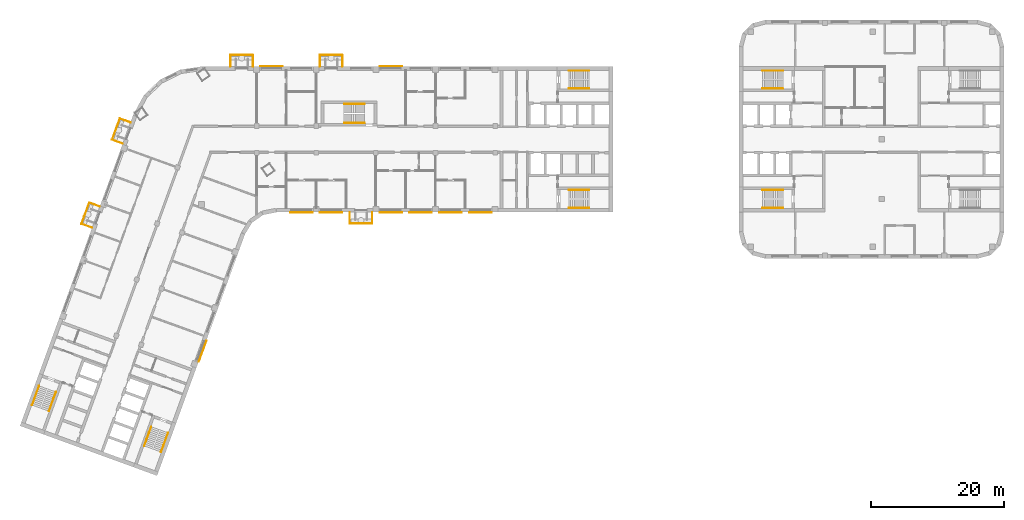
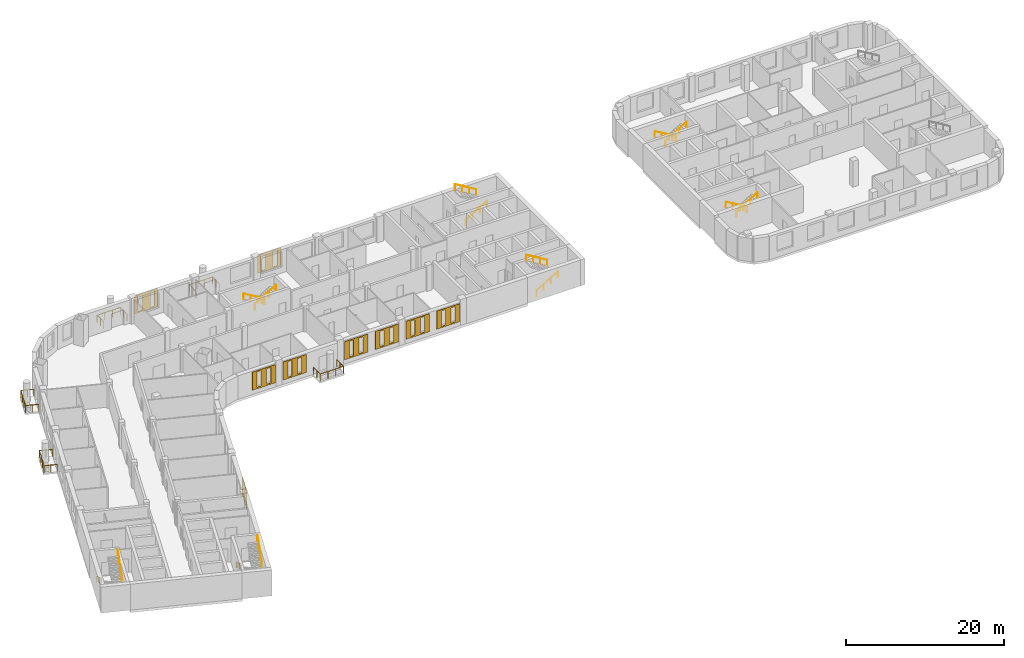
# One storey, part 12 of 15: 19 railings, 9 coverings.
"""IFC4 building model written with IfcOpenShell, lengths in metres."""

from ifc_helpers import new_model, si_unit, direction, frame, origin, origin_2d, place, context, subcontext, project, spatial, polyline, circle, outline, extrude, material, material_profile, profile_set, type_object, element, save


model = new_model("IFC4")

# Units and contexts
model_context = context("Model", 3, precision=1e-05, world=origin(), true_north=direction((0.0, 1.0)))
body_context = subcontext(model_context, "Body", "Model", "MODEL_VIEW")
ifc_project = project(units=[si_unit("LENGTHUNIT", "METRE"), si_unit("AREAUNIT", "SQUARE_METRE"), si_unit("VOLUMEUNIT", "CUBIC_METRE"), si_unit("PLANEANGLEUNIT", "RADIAN"), si_unit("MASSUNIT", "GRAM", prefix="KILO")], contexts=[model_context])

# Site, building, storey
site_placement = place(None, origin())
site = spatial("IfcSite", under=ifc_project, at=site_placement, CompositionType="ELEMENT")
building_placement = place(site_placement, origin())
building = spatial("IfcBuilding", under=site, at=building_placement, Name="Skarvind Civic Tower", CompositionType="ELEMENT")
storey_placement = place(building_placement, frame((0.0, 0.0, 55.5)))
storey = spatial("IfcBuildingStorey", under=building, at=storey_placement, Name="L12", CompositionType="ELEMENT", Elevation=55.5)

# Railings
ifc_material_1 = material(Name="Stainless steel balustrade", Category="steel")
railing_type_1 = type_object("IfcRailingType", Name="GR1 GUARD 1100", PredefinedType="GUARDRAIL", material=ifc_material_1)
railing_1_placement = place(storey_placement, frame((71.699951171875, 117.0, 0.0)))
element("IfcRailing", 1, at=railing_1_placement, inside=storey, type_object=railing_type_1, Name="TREE BALCONY GUARD", PredefinedType="GUARDRAIL", context=body_context, shape_type="SweptSolid", body=[
    extrude(circle(Radius=0.02392578125, at=origin_2d()), frame((0.0, 0.0, 1.076171875), z_axis=(0.0, -1.0, 0.0), x_axis=(1.0, 0.0, 0.0)), (0.0, 0.0, 1.0), 1.699951171875),
    extrude(circle(Radius=0.02392578125, at=origin_2d()), frame((0.0, -1.699951171875, 1.076171875), z_axis=(-1.0, 0.0, 0.0), x_axis=(0.0, -1.0, 0.0)), (0.0, 0.0, 1.0), 3.39990234375),
    extrude(circle(Radius=0.02392578125, at=origin_2d()), frame((-3.39990234375, -1.699951171875, 1.076171875), z_axis=(0.0, 1.0, 0.0), x_axis=(-1.0, 0.0, 0.0)), (0.0, 0.0, 1.0), 1.699951171875),
    extrude(circle(Radius=0.02099609375, at=origin_2d()), origin(), (0.0, 0.0, 1.0), 1.052001953125),
    extrude(circle(Radius=0.02099609375, at=origin_2d()), frame((0.0, -0.85009765625, 0.0)), (0.0, 0.0, 1.0), 1.052001953125),
    extrude(circle(Radius=0.02099609375, at=origin_2d()), frame((0.0, -1.699951171875, 0.0)), (0.0, 0.0, 1.0), 1.052001953125),
    extrude(circle(Radius=0.02099609375, at=origin_2d()), frame((-1.13330078125, -1.699951171875, 0.0)), (0.0, 0.0, 1.0), 1.052001953125),
    extrude(circle(Radius=0.02099609375, at=origin_2d()), frame((-2.2666015625, -1.699951171875, 0.0)), (0.0, 0.0, 1.0), 1.052001953125),
    extrude(circle(Radius=0.02099609375, at=origin_2d()), frame((-3.39990234375, -1.699951171875, 0.0)), (0.0, 0.0, 1.0), 1.052001953125),
    extrude(circle(Radius=0.02099609375, at=origin_2d()), frame((-3.39990234375, -0.85009765625, 0.0)), (0.0, 0.0, 1.0), 1.052001953125),
    extrude(circle(Radius=0.02099609375, at=origin_2d()), frame((-3.39990234375, 0.0, 0.0)), (0.0, 0.0, 1.0), 1.052001953125),
])
for number, where, name in (
    (2, (50.300048828125, 139.0, 0.0), "TREE BALCONY GUARD"),
    (3, (63.800048828125, 139.0, 0.0), "TREE BALCONY GUARD"),
):
    element("IfcRailing", number, at=place(storey_placement, frame(where)), inside=storey, type_object=railing_type_1, Name=name, PredefinedType="GUARDRAIL", context=body_context, shape_type="SweptSolid", body=[
        extrude(circle(Radius=0.02392578125, at=origin_2d()), frame((0.0, 0.0, 1.076171875), z_axis=(0.0, 1.0, 0.0), x_axis=(-1.0, 0.0, 0.0)), (0.0, 0.0, 1.0), 1.699951171875),
        extrude(circle(Radius=0.02392578125, at=origin_2d()), frame((0.0, 1.699951171875, 1.076171875), z_axis=(1.0, 0.0, 0.0), x_axis=(0.0, 1.0, 0.0)), (0.0, 0.0, 1.0), 3.39990234375),
        extrude(circle(Radius=0.02392578125, at=origin_2d()), frame((3.39990234375, 1.699951171875, 1.076171875), z_axis=(0.0, -1.0, 0.0), x_axis=(1.0, 0.0, 0.0)), (0.0, 0.0, 1.0), 1.699951171875),
        extrude(circle(Radius=0.02099609375, at=origin_2d()), origin(), (0.0, 0.0, 1.0), 1.052001953125),
        extrude(circle(Radius=0.02099609375, at=origin_2d()), frame((0.0, 0.85009765625, 0.0)), (0.0, 0.0, 1.0), 1.052001953125),
        extrude(circle(Radius=0.02099609375, at=origin_2d()), frame((0.0, 1.699951171875, 0.0)), (0.0, 0.0, 1.0), 1.052001953125),
        extrude(circle(Radius=0.02099609375, at=origin_2d()), frame((1.13330078125, 1.699951171875, 0.0)), (0.0, 0.0, 1.0), 1.052001953125),
        extrude(circle(Radius=0.02099609375, at=origin_2d()), frame((2.2666015625, 1.699951171875, 0.0)), (0.0, 0.0, 1.0), 1.052001953125),
        extrude(circle(Radius=0.02099609375, at=origin_2d()), frame((3.39990234375, 1.699951171875, 0.0)), (0.0, 0.0, 1.0), 1.052001953125),
        extrude(circle(Radius=0.02099609375, at=origin_2d()), frame((3.39990234375, 0.85009765625, 0.0)), (0.0, 0.0, 1.0), 1.052001953125),
        extrude(circle(Radius=0.02099609375, at=origin_2d()), frame((3.39990234375, 0.0, 0.0)), (0.0, 0.0, 1.0), 1.052001953125),
    ])
railing_2_placement = place(storey_placement, frame((29.438720703125, 114.659912109375, 0.0)))
element("IfcRailing", 4, at=railing_2_placement, inside=storey, type_object=railing_type_1, Name="TREE BALCONY GUARD", PredefinedType="GUARDRAIL", context=body_context, shape_type="SweptSolid", body=[
    extrude(circle(Radius=0.02392578125, at=origin_2d()), frame((0.0, 0.0, 1.076171875), z_axis=(-0.939713724856, 0.341962154804, 0.0), x_axis=(-0.341962154804, -0.939713724856, 0.0)), (0.0, 0.0, 1.0), 1.699951171875),
    extrude(circle(Radius=0.02392578125, at=origin_2d()), frame((-1.597412109375, 0.581298828125, 1.076171875), z_axis=(0.341939080165, 0.939722121404, 0.0), x_axis=(-0.939722121404, 0.341939080165, 0.0)), (0.0, 0.0, 1.0), 3.39990234375),
    extrude(circle(Radius=0.02392578125, at=origin_2d()), frame((-0.434814453125, 3.7763671875, 1.076171875), z_axis=(0.939684369409, -0.342042812948, 0.0), x_axis=(0.342042812948, 0.939684369409, 0.0)), (0.0, 0.0, 1.0), 1.7001953125),
    extrude(circle(Radius=0.02099609375, at=origin_2d()), origin(), (0.0, 0.0, 1.0), 1.052001953125),
    extrude(circle(Radius=0.02099609375, at=origin_2d()), frame((-0.798828125, 0.29052734375, 0.0)), (0.0, 0.0, 1.0), 1.052001953125),
    extrude(circle(Radius=0.02099609375, at=origin_2d()), frame((-1.597412109375, 0.581298828125, 0.0)), (0.0, 0.0, 1.0), 1.052001953125),
    extrude(circle(Radius=0.02099609375, at=origin_2d()), frame((-1.2099609375, 1.646240234375, 0.0)), (0.0, 0.0, 1.0), 1.052001953125),
    extrude(circle(Radius=0.02099609375, at=origin_2d()), frame((-0.822265625, 2.71142578125, 0.0)), (0.0, 0.0, 1.0), 1.052001953125),
    extrude(circle(Radius=0.02099609375, at=origin_2d()), frame((-0.434814453125, 3.7763671875, 0.0)), (0.0, 0.0, 1.0), 1.052001953125),
    extrude(circle(Radius=0.02099609375, at=origin_2d()), frame((0.364013671875, 3.485595703125, 0.0)), (0.0, 0.0, 1.0), 1.052001953125),
    extrude(circle(Radius=0.02099609375, at=origin_2d()), frame((1.162841796875, 3.19482421875, 0.0)), (0.0, 0.0, 1.0), 1.052001953125),
])
railing_3_placement = place(storey_placement, frame((34.055908203125, 127.345703125, 0.0)))
element("IfcRailing", 5, at=railing_3_placement, inside=storey, type_object=railing_type_1, Name="TREE BALCONY GUARD", PredefinedType="GUARDRAIL", context=body_context, shape_type="SweptSolid", body=[
    extrude(circle(Radius=0.02392578125, at=origin_2d()), frame((0.0, 0.0, 1.076171875), z_axis=(-0.939713724856, 0.341962154804, 0.0), x_axis=(-0.341962154804, -0.939713724856, 0.0)), (0.0, 0.0, 1.0), 1.699951171875),
    extrude(circle(Radius=0.02392578125, at=origin_2d()), frame((-1.597412109375, 0.581298828125, 1.076171875), z_axis=(0.342002487902, 0.939699046647, 0.0), x_axis=(-0.939699046647, 0.342002487902, 0.0)), (0.0, 0.0, 1.0), 3.400146484375),
    extrude(circle(Radius=0.02392578125, at=origin_2d()), frame((-0.4345703125, 3.7763671875, 1.076171875), z_axis=(0.939713724856, -0.341962154804, 0.0), x_axis=(0.341962154804, 0.939713724856, 0.0)), (0.0, 0.0, 1.0), 1.699951171875),
    extrude(circle(Radius=0.02099609375, at=origin_2d()), origin(), (0.0, 0.0, 1.0), 1.052001953125),
    extrude(circle(Radius=0.02099609375, at=origin_2d()), frame((-0.798828125, 0.29052734375, 0.0)), (0.0, 0.0, 1.0), 1.052001953125),
    extrude(circle(Radius=0.02099609375, at=origin_2d()), frame((-1.597412109375, 0.581298828125, 0.0)), (0.0, 0.0, 1.0), 1.052001953125),
    extrude(circle(Radius=0.02099609375, at=origin_2d()), frame((-1.209716796875, 1.646240234375, 0.0)), (0.0, 0.0, 1.0), 1.052001953125),
    extrude(circle(Radius=0.02099609375, at=origin_2d()), frame((-0.822265625, 2.71142578125, 0.0)), (0.0, 0.0, 1.0), 1.052001953125),
    extrude(circle(Radius=0.02099609375, at=origin_2d()), frame((-0.4345703125, 3.7763671875, 0.0)), (0.0, 0.0, 1.0), 1.052001953125),
    extrude(circle(Radius=0.02099609375, at=origin_2d()), frame((0.3642578125, 3.48583984375, 0.0)), (0.0, 0.0, 1.0), 1.052001953125),
    extrude(circle(Radius=0.02099609375, at=origin_2d()), frame((1.162841796875, 3.195068359375, 0.0)), (0.0, 0.0, 1.0), 1.052001953125),
])
ifc_material_2 = material(Name="Painted steel handrail", Category="steel")
railing_type_2 = type_object("IfcRailingType", Name="Stair handrail 900", PredefinedType="HANDRAIL", material=ifc_material_2)
railing_4_placement = place(storey_placement, frame((101.35009765625, 135.64990234375, 0.166748046875)))
element("IfcRailing", 6, at=railing_4_placement, inside=storey, type_object=railing_type_2, Name="Stair handrail", PredefinedType="HANDRAIL", context=body_context, shape_type="SweptSolid", body=[
    extrude(circle(Radius=0.02392578125, at=origin_2d()), frame((0.0, 0.0, 0.8759765625), z_axis=(0.859290745958, 0.0, 0.51148745235), x_axis=(0.0, 1.0, 0.0)), (0.0, 0.0, 1.0), 3.584228515625),
    extrude(circle(Radius=0.02099609375, at=origin_2d()), origin(), (0.0, 0.0, 1.0), 0.851806640625),
    extrude(circle(Radius=0.02099609375, at=origin_2d()), frame((1.026611328125, 0.0, 0.611083984375)), (0.0, 0.0, 1.0), 0.851806640625),
    extrude(circle(Radius=0.02099609375, at=origin_2d()), frame((2.05322265625, 0.0, 1.22216796875)), (0.0, 0.0, 1.0), 0.851806640625),
    extrude(circle(Radius=0.02099609375, at=origin_2d()), frame((3.079833984375, 0.0, 1.833251953125)), (0.0, 0.0, 1.0), 0.851806640625),
])
railing_5_placement = place(storey_placement, frame((104.429931640625, 138.35009765625, 2.166748046875)))
element("IfcRailing", 7, at=railing_5_placement, inside=storey, type_object=railing_type_2, Name="Stair handrail", PredefinedType="HANDRAIL", context=body_context, shape_type="SweptSolid", body=[
    extrude(circle(Radius=0.02392578125, at=origin_2d()), frame((0.0, 0.0, 0.8759765625), z_axis=(-0.859290745958, 0.0, 0.51148745235), x_axis=(0.0, -1.0, 0.0)), (0.0, 0.0, 1.0), 3.584228515625),
    extrude(circle(Radius=0.02099609375, at=origin_2d()), origin(), (0.0, 0.0, 1.0), 0.851806640625),
    extrude(circle(Radius=0.02099609375, at=origin_2d()), frame((-1.026611328125, 0.0, 0.611083984375)), (0.0, 0.0, 1.0), 0.851806640625),
    extrude(circle(Radius=0.02099609375, at=origin_2d()), frame((-2.05322265625, 0.0, 1.22216796875)), (0.0, 0.0, 1.0), 0.851806640625),
    extrude(circle(Radius=0.02099609375, at=origin_2d()), frame((-3.079833984375, 0.0, 1.833251953125)), (0.0, 0.0, 1.0), 0.851806640625),
])
railing_6_placement = place(storey_placement, frame((101.35009765625, 117.64990234375, 0.166748046875)))
element("IfcRailing", 8, at=railing_6_placement, inside=storey, type_object=railing_type_2, Name="Stair handrail", PredefinedType="HANDRAIL", context=body_context, shape_type="SweptSolid", body=[
    extrude(circle(Radius=0.02392578125, at=origin_2d()), frame((0.0, 0.0, 0.8759765625), z_axis=(0.859290745958, 0.0, 0.51148745235), x_axis=(0.0, 1.0, 0.0)), (0.0, 0.0, 1.0), 3.584228515625),
    extrude(circle(Radius=0.02099609375, at=origin_2d()), origin(), (0.0, 0.0, 1.0), 0.851806640625),
    extrude(circle(Radius=0.02099609375, at=origin_2d()), frame((1.026611328125, 0.0, 0.611083984375)), (0.0, 0.0, 1.0), 0.851806640625),
    extrude(circle(Radius=0.02099609375, at=origin_2d()), frame((2.05322265625, 0.0, 1.22216796875)), (0.0, 0.0, 1.0), 0.851806640625),
    extrude(circle(Radius=0.02099609375, at=origin_2d()), frame((3.079833984375, 0.0, 1.833251953125)), (0.0, 0.0, 1.0), 0.851806640625),
])
railing_7_placement = place(storey_placement, frame((104.429931640625, 120.35009765625, 2.166748046875)))
element("IfcRailing", 9, at=railing_7_placement, inside=storey, type_object=railing_type_2, Name="Stair handrail", PredefinedType="HANDRAIL", context=body_context, shape_type="SweptSolid", body=[
    extrude(circle(Radius=0.02392578125, at=origin_2d()), frame((0.0, 0.0, 0.8759765625), z_axis=(-0.859290745958, 0.0, 0.51148745235), x_axis=(0.0, -1.0, 0.0)), (0.0, 0.0, 1.0), 3.584228515625),
    extrude(circle(Radius=0.02099609375, at=origin_2d()), origin(), (0.0, 0.0, 1.0), 0.851806640625),
    extrude(circle(Radius=0.02099609375, at=origin_2d()), frame((-1.026611328125, 0.0, 0.611083984375)), (0.0, 0.0, 1.0), 0.851806640625),
    extrude(circle(Radius=0.02099609375, at=origin_2d()), frame((-2.05322265625, 0.0, 1.22216796875)), (0.0, 0.0, 1.0), 0.851806640625),
    extrude(circle(Radius=0.02099609375, at=origin_2d()), frame((-3.079833984375, 0.0, 1.833251953125)), (0.0, 0.0, 1.0), 0.851806640625),
])
railing_8_placement = place(storey_placement, frame((38.362060546875, 84.64794921875, 0.166748046875)))
element("IfcRailing", 10, at=railing_8_placement, inside=storey, type_object=railing_type_2, Name="Stair handrail", PredefinedType="HANDRAIL", context=body_context, shape_type="SweptSolid", body=[
    extrude(circle(Radius=0.02392578125, at=origin_2d()), frame((0.0, 0.0, 0.8759765625), z_axis=(-0.293908055923, -0.807480881337, 0.511461319103), x_axis=(0.939689235759, -0.342029443467, 0.0)), (0.0, 0.0, 1.0), 3.584228515625),
    extrude(circle(Radius=0.02099609375, at=origin_2d()), origin(), (0.0, 0.0, 1.0), 0.851806640625),
    extrude(circle(Radius=0.02099609375, at=origin_2d()), frame((-0.35107421875, -0.96484375, 0.611083984375)), (0.0, 0.0, 1.0), 0.851806640625),
    extrude(circle(Radius=0.02099609375, at=origin_2d()), frame((-0.702392578125, -1.929443359375, 1.22216796875)), (0.0, 0.0, 1.0), 0.851806640625),
    extrude(circle(Radius=0.02099609375, at=origin_2d()), frame((-1.053466796875, -2.894287109375, 1.833251953125)), (0.0, 0.0, 1.0), 0.851806640625),
])
railing_9_placement = place(storey_placement, frame((39.845703125, 80.830078125, 2.166748046875)))
element("IfcRailing", 11, at=railing_9_placement, inside=storey, type_object=railing_type_2, Name="Stair handrail", PredefinedType="HANDRAIL", context=body_context, shape_type="SweptSolid", body=[
    extrude(circle(Radius=0.02392578125, at=origin_2d()), frame((0.0, 0.0, 0.8759765625), z_axis=(0.293908055923, 0.807480881337, 0.511461319103), x_axis=(-0.939689235759, 0.342029443467, 0.0)), (0.0, 0.0, 1.0), 3.584228515625),
    extrude(circle(Radius=0.02099609375, at=origin_2d()), origin(), (0.0, 0.0, 1.0), 0.851806640625),
    extrude(circle(Radius=0.02099609375, at=origin_2d()), frame((0.35107421875, 0.96484375, 0.611083984375)), (0.0, 0.0, 1.0), 0.851806640625),
    extrude(circle(Radius=0.02099609375, at=origin_2d()), frame((0.702392578125, 1.929443359375, 1.22216796875)), (0.0, 0.0, 1.0), 0.851806640625),
    extrude(circle(Radius=0.02099609375, at=origin_2d()), frame((1.053466796875, 2.894287109375, 1.833251953125)), (0.0, 0.0, 1.0), 0.851806640625),
])
railing_10_placement = place(storey_placement, frame((21.447509765625, 90.80419921875, 0.166748046875)))
element("IfcRailing", 12, at=railing_10_placement, inside=storey, type_object=railing_type_2, Name="Stair handrail", PredefinedType="HANDRAIL", context=body_context, shape_type="SweptSolid", body=[
    extrude(circle(Radius=0.02392578125, at=origin_2d()), frame((0.0, 0.0, 0.8759765625), z_axis=(-0.293845824691, -0.807497044902, 0.511471557163), x_axis=(0.939714709796, -0.34195944817, 0.0)), (0.0, 0.0, 1.0), 3.584228515625),
    extrude(circle(Radius=0.02099609375, at=origin_2d()), origin(), (0.0, 0.0, 1.0), 0.851806640625),
    extrude(circle(Radius=0.02099609375, at=origin_2d()), frame((-0.35107421875, -0.96484375, 0.611083984375)), (0.0, 0.0, 1.0), 0.851806640625),
    extrude(circle(Radius=0.02099609375, at=origin_2d()), frame((-0.7021484375, -1.929443359375, 1.22216796875)), (0.0, 0.0, 1.0), 0.851806640625),
    extrude(circle(Radius=0.02099609375, at=origin_2d()), frame((-1.05322265625, -2.894287109375, 1.833251953125)), (0.0, 0.0, 1.0), 0.851806640625),
])
railing_11_placement = place(storey_placement, frame((22.931396484375, 86.986572265625, 2.166748046875)))
element("IfcRailing", 13, at=railing_11_placement, inside=storey, type_object=railing_type_2, Name="Stair handrail", PredefinedType="HANDRAIL", context=body_context, shape_type="SweptSolid", body=[
    extrude(circle(Radius=0.02392578125, at=origin_2d()), frame((0.0, 0.0, 0.8759765625), z_axis=(0.293908055923, 0.807480881337, 0.511461319103), x_axis=(-0.939689235759, 0.342029443467, 0.0)), (0.0, 0.0, 1.0), 3.584228515625),
    extrude(circle(Radius=0.02099609375, at=origin_2d()), origin(), (0.0, 0.0, 1.0), 0.851806640625),
    extrude(circle(Radius=0.02099609375, at=origin_2d()), frame((0.35107421875, 0.96484375, 0.611083984375)), (0.0, 0.0, 1.0), 0.851806640625),
    extrude(circle(Radius=0.02099609375, at=origin_2d()), frame((0.702392578125, 1.929443359375, 1.22216796875)), (0.0, 0.0, 1.0), 0.851806640625),
    extrude(circle(Radius=0.02099609375, at=origin_2d()), frame((1.053466796875, 2.894287109375, 1.833251953125)), (0.0, 0.0, 1.0), 0.851806640625),
])
railing_12_placement = place(storey_placement, frame((133.64990234375, 120.35009765625, 0.166748046875)))
element("IfcRailing", 14, at=railing_12_placement, inside=storey, type_object=railing_type_2, Name="Stair handrail", PredefinedType="HANDRAIL", context=body_context, shape_type="SweptSolid", body=[
    extrude(circle(Radius=0.02392578125, at=origin_2d()), frame((0.0, 0.0, 0.8759765625), z_axis=(-0.859290745958, 0.0, 0.51148745235), x_axis=(0.0, -1.0, 0.0)), (0.0, 0.0, 1.0), 3.584228515625),
    extrude(circle(Radius=0.02099609375, at=origin_2d()), origin(), (0.0, 0.0, 1.0), 0.851806640625),
    extrude(circle(Radius=0.02099609375, at=origin_2d()), frame((-1.026611328125, 0.0, 0.611083984375)), (0.0, 0.0, 1.0), 0.851806640625),
    extrude(circle(Radius=0.02099609375, at=origin_2d()), frame((-2.05322265625, 0.0, 1.22216796875)), (0.0, 0.0, 1.0), 0.851806640625),
    extrude(circle(Radius=0.02099609375, at=origin_2d()), frame((-3.079833984375, 0.0, 1.833251953125)), (0.0, 0.0, 1.0), 0.851806640625),
])
railing_13_placement = place(storey_placement, frame((130.570068359375, 117.64990234375, 2.166748046875)))
element("IfcRailing", 15, at=railing_13_placement, inside=storey, type_object=railing_type_2, Name="Stair handrail", PredefinedType="HANDRAIL", context=body_context, shape_type="SweptSolid", body=[
    extrude(circle(Radius=0.02392578125, at=origin_2d()), frame((0.0, 0.0, 0.8759765625), z_axis=(0.859290745958, 0.0, 0.51148745235), x_axis=(0.0, 1.0, 0.0)), (0.0, 0.0, 1.0), 3.584228515625),
    extrude(circle(Radius=0.02099609375, at=origin_2d()), origin(), (0.0, 0.0, 1.0), 0.851806640625),
    extrude(circle(Radius=0.02099609375, at=origin_2d()), frame((1.026611328125, 0.0, 0.611083984375)), (0.0, 0.0, 1.0), 0.851806640625),
    extrude(circle(Radius=0.02099609375, at=origin_2d()), frame((2.05322265625, 0.0, 1.22216796875)), (0.0, 0.0, 1.0), 0.851806640625),
    extrude(circle(Radius=0.02099609375, at=origin_2d()), frame((3.079833984375, 0.0, 1.833251953125)), (0.0, 0.0, 1.0), 0.851806640625),
])
railing_14_placement = place(storey_placement, frame((133.64990234375, 138.35009765625, 0.166748046875)))
element("IfcRailing", 16, at=railing_14_placement, inside=storey, type_object=railing_type_2, Name="Stair handrail", PredefinedType="HANDRAIL", context=body_context, shape_type="SweptSolid", body=[
    extrude(circle(Radius=0.02392578125, at=origin_2d()), frame((0.0, 0.0, 0.8759765625), z_axis=(-0.859290745958, 0.0, 0.51148745235), x_axis=(0.0, -1.0, 0.0)), (0.0, 0.0, 1.0), 3.584228515625),
    extrude(circle(Radius=0.02099609375, at=origin_2d()), origin(), (0.0, 0.0, 1.0), 0.851806640625),
    extrude(circle(Radius=0.02099609375, at=origin_2d()), frame((-1.026611328125, 0.0, 0.611083984375)), (0.0, 0.0, 1.0), 0.851806640625),
    extrude(circle(Radius=0.02099609375, at=origin_2d()), frame((-2.05322265625, 0.0, 1.22216796875)), (0.0, 0.0, 1.0), 0.851806640625),
    extrude(circle(Radius=0.02099609375, at=origin_2d()), frame((-3.079833984375, 0.0, 1.833251953125)), (0.0, 0.0, 1.0), 0.851806640625),
])
railing_15_placement = place(storey_placement, frame((130.570068359375, 135.64990234375, 2.166748046875)))
element("IfcRailing", 17, at=railing_15_placement, inside=storey, type_object=railing_type_2, Name="Stair handrail", PredefinedType="HANDRAIL", context=body_context, shape_type="SweptSolid", body=[
    extrude(circle(Radius=0.02392578125, at=origin_2d()), frame((0.0, 0.0, 0.8759765625), z_axis=(0.859290745958, 0.0, 0.51148745235), x_axis=(0.0, 1.0, 0.0)), (0.0, 0.0, 1.0), 3.584228515625),
    extrude(circle(Radius=0.02099609375, at=origin_2d()), origin(), (0.0, 0.0, 1.0), 0.851806640625),
    extrude(circle(Radius=0.02099609375, at=origin_2d()), frame((1.026611328125, 0.0, 0.611083984375)), (0.0, 0.0, 1.0), 0.851806640625),
    extrude(circle(Radius=0.02099609375, at=origin_2d()), frame((2.05322265625, 0.0, 1.22216796875)), (0.0, 0.0, 1.0), 0.851806640625),
    extrude(circle(Radius=0.02099609375, at=origin_2d()), frame((3.079833984375, 0.0, 1.833251953125)), (0.0, 0.0, 1.0), 0.851806640625),
])
railing_16_placement = place(storey_placement, frame((70.550048828125, 133.35009765625, 0.166748046875)))
element("IfcRailing", 18, at=railing_16_placement, inside=storey, type_object=railing_type_2, Name="Stair handrail", PredefinedType="HANDRAIL", context=body_context, shape_type="SweptSolid", body=[
    extrude(circle(Radius=0.02392578125, at=origin_2d()), frame((0.0, 0.0, 0.8759765625), z_axis=(-0.859308565015, 0.0, 0.511457515432), x_axis=(0.0, -1.0, 0.0)), (0.0, 0.0, 1.0), 3.58447265625),
    extrude(circle(Radius=0.02099609375, at=origin_2d()), origin(), (0.0, 0.0, 1.0), 0.851806640625),
    extrude(circle(Radius=0.02099609375, at=origin_2d()), frame((-1.026611328125, 0.0, 0.611083984375)), (0.0, 0.0, 1.0), 0.851806640625),
    extrude(circle(Radius=0.02099609375, at=origin_2d()), frame((-2.053466796875, 0.0, 1.22216796875)), (0.0, 0.0, 1.0), 0.851806640625),
    extrude(circle(Radius=0.02099609375, at=origin_2d()), frame((-3.080078125, 0.0, 1.833251953125)), (0.0, 0.0, 1.0), 0.851806640625),
])
railing_17_placement = place(storey_placement, frame((67.469970703125, 130.449951171875, 2.166748046875)))
element("IfcRailing", 19, at=railing_17_placement, inside=storey, type_object=railing_type_2, Name="Stair handrail", PredefinedType="HANDRAIL", context=body_context, shape_type="SweptSolid", body=[
    extrude(circle(Radius=0.02392578125, at=origin_2d()), frame((0.0, 0.0, 0.8759765625), z_axis=(0.859308565015, 0.0, 0.511457515432), x_axis=(0.0, 1.0, 0.0)), (0.0, 0.0, 1.0), 3.58447265625),
    extrude(circle(Radius=0.02099609375, at=origin_2d()), origin(), (0.0, 0.0, 1.0), 0.851806640625),
    extrude(circle(Radius=0.02099609375, at=origin_2d()), frame((1.026611328125, 0.0, 0.611083984375)), (0.0, 0.0, 1.0), 0.851806640625),
    extrude(circle(Radius=0.02099609375, at=origin_2d()), frame((2.053466796875, 0.0, 1.22216796875)), (0.0, 0.0, 1.0), 0.851806640625),
    extrude(circle(Radius=0.02099609375, at=origin_2d()), frame((3.080078125, 0.0, 1.833251953125)), (0.0, 0.0, 1.0), 0.851806640625),
])

# Coverings
ifc_material_3 = material(Name="Terracotta", Category="masonry")
ifc_material_profile_1 = material_profile(ifc_material_3, outline(polyline([(-1.699951171875, -1.39990234375), (1.699951171875, -1.39990234375), (1.699951171875, 1.39990234375), (-1.699951171875, 1.39990234375), (-1.699951171875, -1.39990234375)]), holes=[polyline([(-1.0, -1.18994140625), (-0.39990234375, -1.18994140625), (-0.39990234375, 1.18994140625), (-1.0, 1.18994140625), (-1.0, -1.18994140625)]), polyline([(0.39990234375, -1.18994140625), (1.0, -1.18994140625), (1.0, 1.18994140625), (0.39990234375, 1.18994140625), (0.39990234375, -1.18994140625)])]), Name="TERRACOTTA SCREEN 3400 x 2800, SLIT PITCH 1400")
ifc_profile_set_1 = profile_set([ifc_material_profile_1], Name="Terracotta")
covering_type_1 = type_object("IfcCoveringType", Name="TERRACOTTA SCREEN 3400 x 2800, SLIT PITCH 1400", PredefinedType="CLADDING", material=ifc_profile_set_1)
for number, where, z_axis, x_axis, name in (
    (20, (88.0, 117.0, 2.10009765625), (0.0, -1.0, 0.0), (1.0, 0.0, 0.0), "TERRACOTTA SCREEN"),
    (21, (83.5, 117.0, 2.10009765625), (0.0, -1.0, 0.0), (1.0, 0.0, 0.0), "TERRACOTTA SCREEN"),
    (22, (79.0, 117.0, 2.10009765625), (0.0, -1.0, 0.0), (1.0, 0.0, 0.0), "TERRACOTTA SCREEN"),
    (23, (74.5, 117.0, 2.10009765625), (0.0, -1.0, 0.0), (1.0, 0.0, 0.0), "TERRACOTTA SCREEN"),
    (24, (65.5, 117.0, 2.10009765625), (0.0, -1.0, 0.0), (1.0, 0.0, 0.0), "TERRACOTTA SCREEN"),
    (25, (61.0, 117.0, 2.10009765625), (0.0, -1.0, 0.0), (1.0, 0.0, 0.0), "TERRACOTTA SCREEN"),
):
    element("IfcCovering", number, at=place(storey_placement, frame(where, z_axis=z_axis, x_axis=x_axis)), inside=storey, type_object=covering_type_1, Name=name, PredefinedType="CLADDING", context=body_context, shape_type="SweptSolid", body=[
        extrude(outline(polyline([(-1.699951171875, -1.39990234375), (1.699951171875, -1.39990234375), (1.699951171875, 1.39990234375), (-1.699951171875, 1.39990234375), (-1.699951171875, -1.39990234375)]), holes=[polyline([(-1.0, -1.18994140625), (-0.39990234375, -1.18994140625), (-0.39990234375, 1.18994140625), (-1.0, 1.18994140625), (-1.0, -1.18994140625)]), polyline([(0.39990234375, -1.18994140625), (1.0, -1.18994140625), (1.0, 1.18994140625), (0.39990234375, 1.18994140625), (0.39990234375, -1.18994140625)])]), origin(), (0.0, 0.0, 1.0), 0.06005859375),
    ])
ifc_material_profile_2 = material_profile(ifc_material_3, outline(polyline([(-1.699951171875, -1.39990234375), (1.699951171875, -1.39990234375), (1.699951171875, 1.39990234375), (-1.699951171875, 1.39990234375), (-1.699951171875, -1.39990234375)]), holes=[polyline([(-1.199951171875, -1.18994140625), (-0.60009765625, -1.18994140625), (-0.60009765625, 1.18994140625), (-1.199951171875, 1.18994140625), (-1.199951171875, -1.18994140625)]), polyline([(0.60009765625, -1.18994140625), (1.199951171875, -1.18994140625), (1.199951171875, 1.18994140625), (0.60009765625, 1.18994140625), (0.60009765625, -1.18994140625)])]), Name="TERRACOTTA SCREEN 3400 x 2800, SLIT PITCH 1800")
ifc_profile_set_2 = profile_set([ifc_material_profile_2], Name="Terracotta")
covering_type_2 = type_object("IfcCoveringType", Name="TERRACOTTA SCREEN 3400 x 2800, SLIT PITCH 1800", PredefinedType="CLADDING", material=ifc_profile_set_2)
for number, where, z_axis, x_axis, name in (
    (26, (46.075927734375, 96.047119140625, 2.10009765625), (0.939793423488, -0.341743063087, 0.0), (0.341743063087, 0.939793423488, 0.0), "TERRACOTTA SCREEN"),
    (27, (56.5, 139.0, 2.10009765625), (0.0, 1.0, 0.0), (-1.0, 0.0, 0.0), "TERRACOTTA SCREEN"),
    (28, (74.5, 139.0, 2.10009765625), (0.0, 1.0, 0.0), (-1.0, 0.0, 0.0), "TERRACOTTA SCREEN"),
):
    element("IfcCovering", number, at=place(storey_placement, frame(where, z_axis=z_axis, x_axis=x_axis)), inside=storey, type_object=covering_type_2, Name=name, PredefinedType="CLADDING", context=body_context, shape_type="SweptSolid", body=[
        extrude(outline(polyline([(-1.699951171875, -1.39990234375), (1.699951171875, -1.39990234375), (1.699951171875, 1.39990234375), (-1.699951171875, 1.39990234375), (-1.699951171875, -1.39990234375)]), holes=[polyline([(-1.199951171875, -1.18994140625), (-0.60009765625, -1.18994140625), (-0.60009765625, 1.18994140625), (-1.199951171875, 1.18994140625), (-1.199951171875, -1.18994140625)]), polyline([(0.60009765625, -1.18994140625), (1.199951171875, -1.18994140625), (1.199951171875, 1.18994140625), (0.60009765625, 1.18994140625), (0.60009765625, -1.18994140625)])]), origin(), (0.0, 0.0, 1.0), 0.06005859375),
    ])

save(model, "model.ifc")
